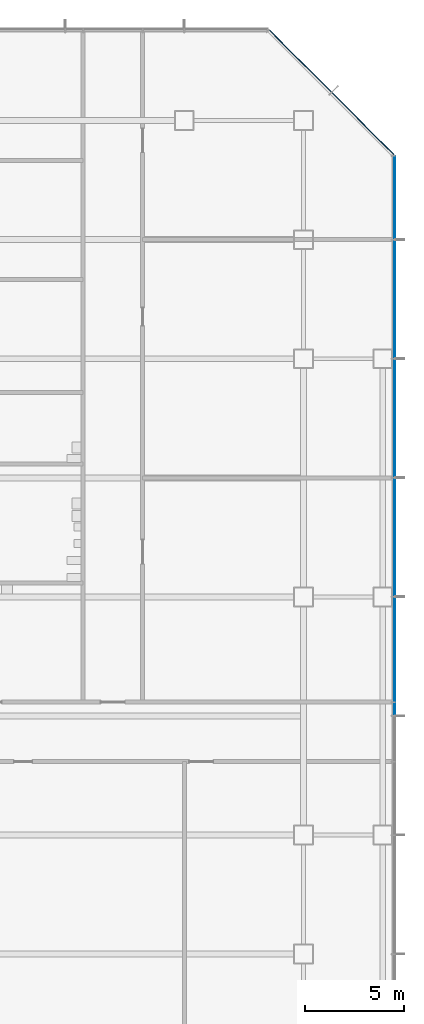
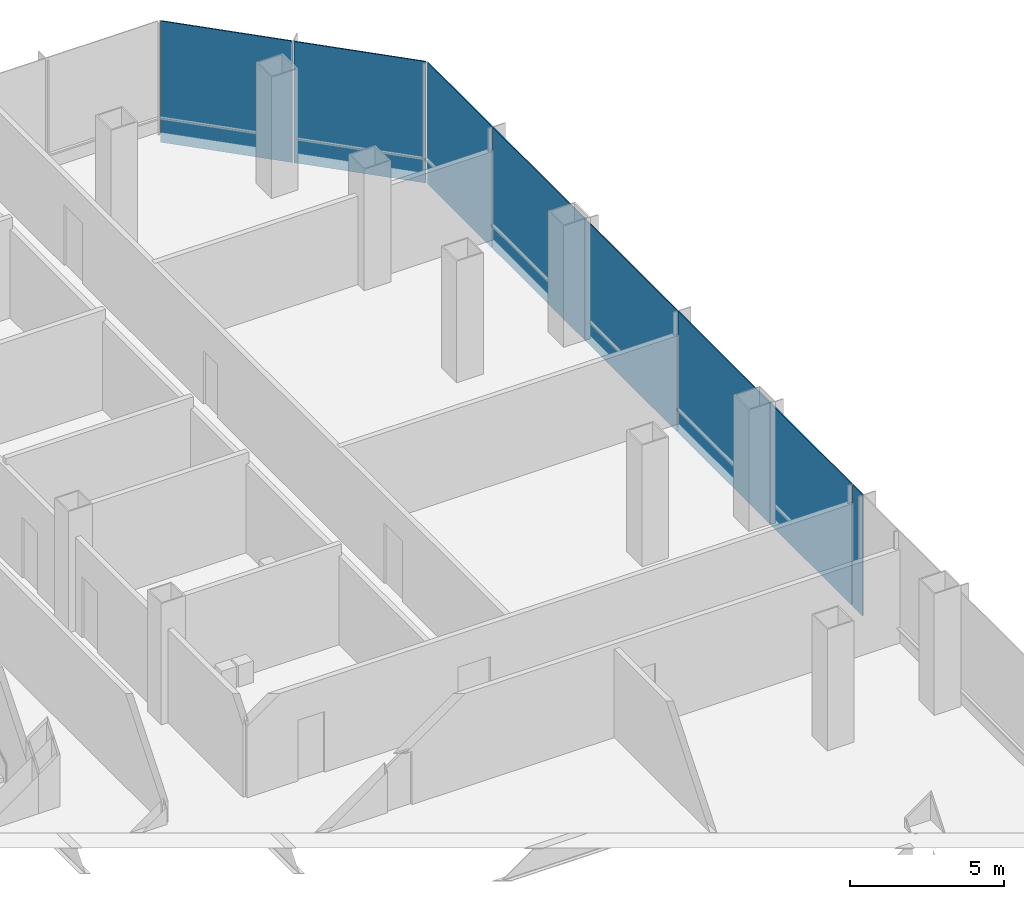
# One storey, part 22 of 33: 8 plates, 2 elements without a shape of their own.
"""IFC4 building model written with IfcOpenShell, lengths in metres."""

from ifc_helpers import new_model, si_unit, direction, frame, origin, origin_2d, place, context, subcontext, project, spatial, rectangle, extrude, material, layer, layer_set, type_object, element, aggregate, save


model = new_model("IFC4")

# Units and contexts
model_context = context("Model", 3, precision=1e-05, world=origin(), true_north=direction((0.0, 1.0)))
body_context = subcontext(model_context, "Body", "Model", "MODEL_VIEW")
ifc_project = project(units=[si_unit("LENGTHUNIT", "METRE"), si_unit("AREAUNIT", "SQUARE_METRE"), si_unit("VOLUMEUNIT", "CUBIC_METRE"), si_unit("PLANEANGLEUNIT", "RADIAN"), si_unit("MASSUNIT", "GRAM", prefix="KILO")], contexts=[model_context])

# Site, building, storey
site_placement = place(None, origin())
site = spatial("IfcSite", under=ifc_project, at=site_placement, CompositionType="ELEMENT")
building_placement = place(site_placement, origin())
building = spatial("IfcBuilding", under=site, at=building_placement, Name="Sorahane Residences", CompositionType="ELEMENT")
storey_placement = place(building_placement, frame((0.0, 0.0, 34.800048828125)))
storey = spatial("IfcBuildingStorey", under=building, at=storey_placement, Name="L05", CompositionType="ELEMENT", Elevation=34.800048828125)

# Curtain wall, plates
ifc_material_1 = material(Name="Dark low-e glass and black anodised aluminium", Category="aluminium")
curtain_wall_type = type_object("IfcCurtainWallType", Name="Curtain wall CW-3 Podium unitised wall", PredefinedType="NOTDEFINED", material=ifc_material_1)
curtain_wall_1_placement = place(storey_placement, origin())
curtain_wall_1 = element("IfcCurtainWall", 1, at=curtain_wall_1_placement, inside=storey, type_object=curtain_wall_type, Name="CW-3 curtain wall L05 E1", PredefinedType="NOTDEFINED")
ifc_material_2 = material(Name="Dark low-e glass with black ceramic frit", Category="glass")
ifc_layer = layer(ifc_material_2, 0.0400390625)
ifc_layer_set = layer_set([ifc_layer], Name="Curtain wall glass panel dark low-e podium with black frit spandrel band")
plate_type = type_object("IfcPlateType", Name="Curtain wall glass panel dark low-e podium with black frit spandrel band", PredefinedType="CURTAIN_PANEL", material=ifc_layer_set)
plate_1_placement = place(storey_placement, frame((70.60009765625, 18.35009765625, -0.39990234375), z_axis=(0.0, 0.0, 1.0), x_axis=(0.0, 1.0, 0.0)))
plate_1 = element("IfcPlate", 2, at=plate_1_placement, type_object=plate_type, Name="CW-3 glass panel L05 E1.5", PredefinedType="CURTAIN_PANEL", context=body_context, shape_type="SweptSolid", body=[
    extrude(rectangle(XDim=0.64990234375, YDim=0.0400390625, at=origin_2d()), origin(), (0.0, 0.0, 1.0), 4.800048828125),
])
plate_2_placement = place(storey_placement, frame((70.60009765625, 21.35009765625, -0.39990234375), z_axis=(0.0, 0.0, 1.0), x_axis=(0.0, 1.0, 0.0)))
plate_2 = element("IfcPlate", 3, at=plate_2_placement, type_object=plate_type, Name="CW-3 glass panel L05 E1.6", PredefinedType="CURTAIN_PANEL", context=body_context, shape_type="SweptSolid", body=[
    extrude(rectangle(XDim=5.25, YDim=0.0400390625, at=origin_2d()), origin(), (0.0, 0.0, 1.0), 4.800048828125),
])
plate_3_placement = place(storey_placement, frame((70.60009765625, 27.0, -0.39990234375), z_axis=(0.0, 0.0, 1.0), x_axis=(0.0, 1.0, 0.0)))
plate_3 = element("IfcPlate", 4, at=plate_3_placement, type_object=plate_type, Name="CW-3 glass panel L05 E1.7", PredefinedType="CURTAIN_PANEL", context=body_context, shape_type="SweptSolid", body=[
    extrude(rectangle(XDim=5.949951171875, YDim=0.0400390625, at=origin_2d()), origin(), (0.0, 0.0, 1.0), 4.800048828125),
])
plate_4_placement = place(storey_placement, frame((70.60009765625, 33.0, -0.39990234375), z_axis=(0.0, 0.0, 1.0), x_axis=(0.0, 1.0, 0.0)))
plate_4 = element("IfcPlate", 5, at=plate_4_placement, type_object=plate_type, Name="CW-3 glass panel L05 E1.8", PredefinedType="CURTAIN_PANEL", context=body_context, shape_type="SweptSolid", body=[
    extrude(rectangle(XDim=5.949951171875, YDim=0.0400390625, at=origin_2d()), origin(), (0.0, 0.0, 1.0), 4.800048828125),
])
plate_5_placement = place(storey_placement, frame((70.60009765625, 39.0, -0.39990234375), z_axis=(0.0, 0.0, 1.0), x_axis=(0.0, 1.0, 0.0)))
plate_5 = element("IfcPlate", 6, at=plate_5_placement, type_object=plate_type, Name="CW-3 glass panel L05 E1.9", PredefinedType="CURTAIN_PANEL", context=body_context, shape_type="SweptSolid", body=[
    extrude(rectangle(XDim=5.949951171875, YDim=0.0400390625, at=origin_2d()), origin(), (0.0, 0.0, 1.0), 4.800048828125),
])
plate_6_placement = place(storey_placement, frame((70.60009765625, 44.11181640625, -0.39990234375), z_axis=(0.0, 0.0, 1.0), x_axis=(0.0, 1.0, 0.0)))
plate_6 = element("IfcPlate", 7, at=plate_6_placement, type_object=plate_type, Name="CW-3 glass panel L05 E1.10", PredefinedType="CURTAIN_PANEL", context=body_context, shape_type="SweptSolid", body=[
    extrude(rectangle(XDim=4.173583984375, YDim=0.0400390625, at=origin_2d()), origin(), (0.0, 0.0, 1.0), 4.800048828125),
])
aggregate(curtain_wall_1, [plate_1, plate_2, plate_3, plate_4, plate_5, plate_6])

curtain_wall_2_placement = place(storey_placement, origin())
curtain_wall_2 = element("IfcCurtainWall", 8, at=curtain_wall_2_placement, inside=storey, type_object=curtain_wall_type, Name="CW-3 curtain wall L05 NE1", PredefinedType="NOTDEFINED")
plate_7_placement = place(storey_placement, frame((69.003173828125, 47.84521484375, -0.39990234375), z_axis=(0.0, 0.0, 1.0), x_axis=(-0.707106781187, 0.707106781187, 0.0)))
plate_7 = element("IfcPlate", 9, at=plate_7_placement, type_object=plate_type, Name="CW-3 glass panel L05 NE1.1", PredefinedType="CURTAIN_PANEL", context=body_context, shape_type="SweptSolid", body=[
    extrude(rectangle(XDim=4.416259765625, YDim=0.0400390625, at=origin_2d()), origin(), (0.0, 0.0, 1.0), 4.800048828125),
])
plate_8_placement = place(storey_placement, frame((65.84521484375, 51.003173828125, -0.39990234375), z_axis=(0.0, 0.0, 1.0), x_axis=(-0.707106781187, 0.707106781187, 0.0)))
plate_8 = element("IfcPlate", 10, at=plate_8_placement, type_object=plate_type, Name="CW-3 glass panel L05 NE1.2", PredefinedType="CURTAIN_PANEL", context=body_context, shape_type="SweptSolid", body=[
    extrude(rectangle(XDim=4.416259765625, YDim=0.0400390625, at=origin_2d()), origin(), (0.0, 0.0, 1.0), 4.800048828125),
])
aggregate(curtain_wall_2, [plate_7, plate_8])

save(model, "model.ifc")
